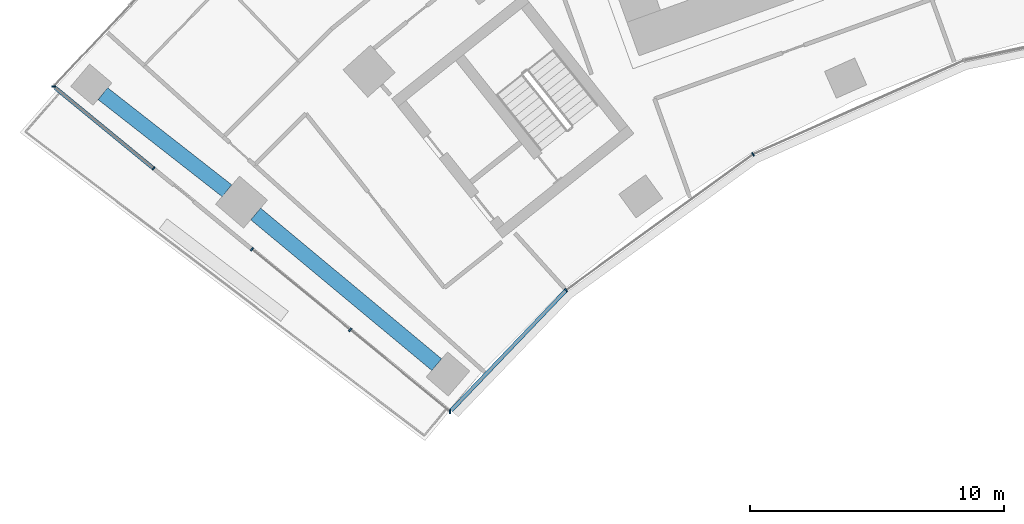
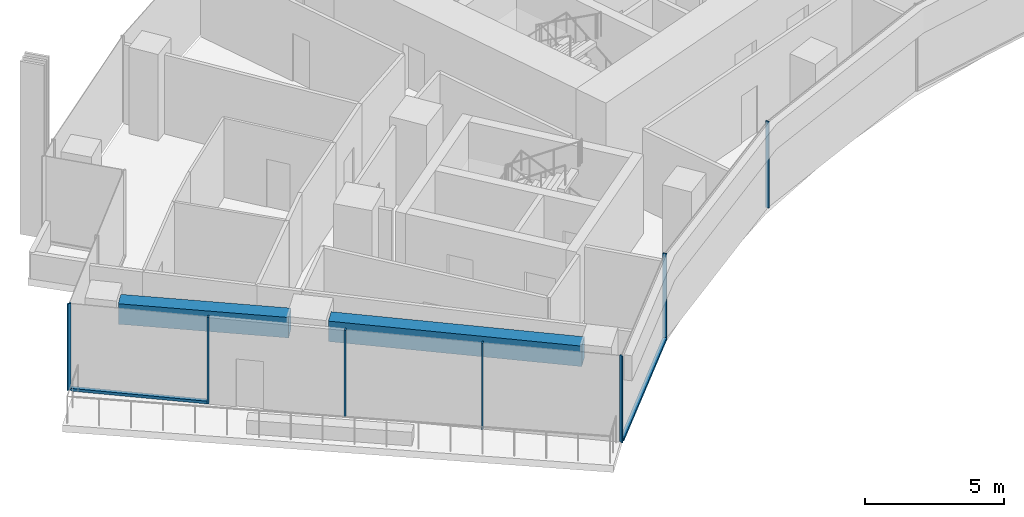
# One storey, part 2 of 20: 9 members, 2 beams, 2 elements without a shape of their own.
"""IFC4 building model written with IfcOpenShell, lengths in metres."""

import ifcopenshell
import ifcopenshell.guid

model = None  # the IFC model being written
_history = None  # IfcOwnerHistory: only IFC2X3 demands one
_inside = {}  # id of a spatial element -> (the spatial element, [elements in it])
_under = {}  # id of a project, library or spatial element -> (it, [spatial elements below it])
_declared = {}  # id of a project -> (the project, [libraries it declares])
_typed = {}  # id of a type object -> (the type object, [elements of that type])
_made_of = {}  # id of a material, layer set ... -> (it, [elements and type objects made of it])


def new_model(schema):
    """Start an empty IFC model of exactly this schema.

    Asked for "IFC4X3", IfcOpenShell would pick the latest addendum, in which some entities
    have other attributes; the version numbers below select the first issue.
    IFC2X3 requires an IfcOwnerHistory on every rooted entity: one is made here for all.
    """
    global model, _history
    if schema == "IFC4X3":
        model = ifcopenshell.file(schema_version=(4, 3, 0, 0))
    else:
        model = ifcopenshell.file(schema=schema)
    _inside.clear()
    _under.clear()
    _declared.clear()
    _typed.clear()
    _made_of.clear()
    _history = None
    if model.schema == "IFC2X3":
        org = make("IfcOrganization", Name="unknown")
        user = make(
            "IfcPersonAndOrganization",
            ThePerson=make("IfcPerson", FamilyName="unknown"),
            TheOrganization=org,
        )
        app = make(
            "IfcApplication",
            ApplicationDeveloper=org,
            Version="unknown",
            ApplicationFullName="unknown",
            ApplicationIdentifier="unknown",
        )
        _history = make(
            "IfcOwnerHistory",
            OwningUser=user,
            OwningApplication=app,
            ChangeAction="ADDED",
            CreationDate=0,
        )
    return model


def make(cls, **values):
    """One entity of the class cls with the attributes given. An attribute that is None is left unset."""
    return model.create_entity(
        cls, **{name: value for name, value in values.items() if value is not None}
    )


def rooted(cls, **values):
    """An entity with a GlobalId (a new one), such as an element, a storey or a relation."""
    return make(cls, GlobalId=ifcopenshell.guid.new(), OwnerHistory=_history, **values)


def si_unit(unit_type, name, prefix=None):
    """IfcSIUnit, for example si_unit("LENGTHUNIT", "METRE", prefix="MILLI")."""
    return make("IfcSIUnit", UnitType=unit_type, Prefix=prefix, Name=name)


def assignment(units):
    """IfcUnitAssignment: the units of a project."""
    return None if units is None else make("IfcUnitAssignment", Units=units)


def point(xyz):
    """IfcCartesianPoint."""
    return None if xyz is None else make("IfcCartesianPoint", Coordinates=xyz)


def direction(xyz):
    """IfcDirection."""
    return None if xyz is None else make("IfcDirection", DirectionRatios=xyz)


def frame(location, z_axis=None, x_axis=None):
    """IfcAxis2Placement3D, a coordinate frame: its origin and axes. An axis left out is left unset."""
    return make(
        "IfcAxis2Placement3D",
        Location=point(location),
        Axis=direction(z_axis),
        RefDirection=direction(x_axis),
    )


def frame_2d(location, x_axis=None):
    """IfcAxis2Placement2D, a coordinate frame in the plane: its origin and x axis."""
    return make(
        "IfcAxis2Placement2D", Location=point(location), RefDirection=direction(x_axis)
    )


def origin():
    """The frame at (0, 0, 0) with its axes left unset."""
    return frame((0.0, 0.0, 0.0))


def origin_2d():
    """The frame at (0, 0) in the plane with its x axis left unset."""
    return frame_2d((0.0, 0.0))


def place(relative_to, where):
    """IfcLocalPlacement: puts the frame where relative to a parent placement (None: the world)."""
    return make(
        "IfcLocalPlacement", PlacementRelTo=relative_to, RelativePlacement=where
    )


def context(
    kind, dimensions, precision=None, world=None, true_north=None, identifier=None
):
    """IfcGeometricRepresentationContext, for example the 3D "Model" context."""
    return make(
        "IfcGeometricRepresentationContext",
        ContextIdentifier=identifier,
        ContextType=kind,
        CoordinateSpaceDimension=dimensions,
        Precision=precision,
        WorldCoordinateSystem=world,
        TrueNorth=true_north,
    )


def subcontext(parent, identifier, kind, view, scale=None):
    """IfcGeometricRepresentationSubContext, for example "Body" below "Model"."""
    return make(
        "IfcGeometricRepresentationSubContext",
        ContextIdentifier=identifier,
        ContextType=kind,
        ParentContext=parent,
        TargetScale=scale,
        TargetView=view,
    )


def project(units=None, contexts=None):
    """IfcProject with its units and contexts."""
    return rooted(
        "IfcProject",
        Name="project",
        RepresentationContexts=contexts,
        UnitsInContext=assignment(units),
    )


def spatial(cls, under=None, at=None, **own):
    """A site, building, storey or space (cls), placed at a placement, below another one or the project."""
    s = rooted(cls, ObjectPlacement=at, **own)
    if under is not None:
        _under.setdefault(under.id(), (under, []))[1].append(s)
    return s


def profile(cls, at=None, kind="AREA", **sizes):
    """A parametric profile (cls). Its sizes go by their IFC names, for example OverallWidth=200.0."""
    return make(cls, ProfileType=kind, Position=at, **sizes)


def rectangle(**sizes):
    """IfcRectangleProfileDef."""
    return profile("IfcRectangleProfileDef", **sizes)


def extrude(swept, where, along, depth):
    """IfcExtrudedAreaSolid: the profile swept, set in the frame where, extruded along a direction by depth."""
    return make(
        "IfcExtrudedAreaSolid",
        SweptArea=swept,
        Position=where,
        ExtrudedDirection=direction(along),
        Depth=depth,
    )


def shape(context_of_items, identifier, shape_type, items):
    """IfcShapeRepresentation: the items that make up one representation, for example the "Body"."""
    return make(
        "IfcShapeRepresentation",
        ContextOfItems=context_of_items,
        RepresentationIdentifier=identifier,
        RepresentationType=shape_type,
        Items=items,
    )


def material(Name=None, Category=None):
    """IfcMaterial."""
    return make("IfcMaterial", Name=Name, Category=Category)


def layer(
    of_material, thickness, ventilated=None, Name=None, Category=None, Priority=None
):
    """IfcMaterialLayer: one layer of a wall or slab, of a material (None: an air gap)."""
    return make(
        "IfcMaterialLayer",
        Material=of_material,
        LayerThickness=thickness,
        IsVentilated=ventilated,
        Name=Name,
        Category=Category,
        Priority=Priority,
    )


def layer_set(layers, Name=None):
    """IfcMaterialLayerSet."""
    return make("IfcMaterialLayerSet", MaterialLayers=layers, LayerSetName=Name)


def material_profile(
    of_material, cross_section, Name=None, Category=None, Priority=None
):
    """IfcMaterialProfile: a cross section and its material."""
    return make(
        "IfcMaterialProfile",
        Name=Name,
        Material=of_material,
        Profile=cross_section,
        Priority=Priority,
        Category=Category,
    )


def profile_set(profiles, Name=None, composite=None):
    """IfcMaterialProfileSet."""
    return make(
        "IfcMaterialProfileSet",
        Name=Name,
        MaterialProfiles=profiles,
        CompositeProfile=composite,
    )


def made_of(thing, what):
    """Note that an element or type object is made of a material, layer set ...; save() writes the relation."""
    if what is not None:
        _made_of.setdefault(what.id(), (what, []))[1].append(thing)
    return thing


def type_object(cls, material=None, **own):
    """A type object (cls), such as IfcWallType, which elements share."""
    return made_of(rooted(cls, **own), material)


def element(
    cls,
    number,
    at=None,
    inside=None,
    cuts=None,
    type_object=None,
    material=None,
    context=None,
    identifier="Body",
    shape_type=None,
    held_by="IfcProductDefinitionShape",
    body=None,
    shapes=None,
    **own,
):
    """One element of the class cls, such as IfcWall. Its Tag is "e" and its number.

    at: its placement. inside: the storey or other place that contains it. cuts: it is an
    opening in that element (IfcRelVoidsElement). A single representation is given by context,
    identifier, shape_type and body (its items); several are given by shapes. held_by: the class
    of the entity that holds the representations. save() writes the other relations.
    """
    e = rooted(cls, Tag="e%d" % number, ObjectPlacement=at, **own)
    if body is not None:
        shapes = [shape(context, identifier, shape_type, body)]
    if shapes is not None:
        e.Representation = make(held_by, Representations=shapes)
    if inside is not None:
        _inside.setdefault(inside.id(), (inside, []))[1].append(e)
    if cuts is not None:
        rooted(
            "IfcRelVoidsElement", RelatingBuildingElement=cuts, RelatedOpeningElement=e
        )
    if type_object is not None:
        _typed.setdefault(type_object.id(), (type_object, []))[1].append(e)
    return made_of(e, material)


def aggregate(whole, parts):
    """IfcRelAggregates: a whole, such as a stair, and the parts it consists of."""
    return rooted("IfcRelAggregates", RelatingObject=whole, RelatedObjects=parts)


def save(model, path):
    """Write the relations noted so far, then the file.

    IfcRelAggregates (storeys below a building ...), IfcRelContainedInSpatialStructure (elements
    in a storey), IfcRelDefinesByType, IfcRelAssociatesMaterial and IfcRelDeclares: one each for
    every whole, place, type object, material and project.
    """
    for whole, parts in _under.values():
        aggregate(whole, parts)
    for where, things in _inside.values():
        rooted(
            "IfcRelContainedInSpatialStructure",
            RelatedElements=things,
            RelatingStructure=where,
        )
    for kind, things in _typed.values():
        rooted("IfcRelDefinesByType", RelatedObjects=things, RelatingType=kind)
    for what, things in _made_of.values():
        rooted("IfcRelAssociatesMaterial", RelatedObjects=things, RelatingMaterial=what)
    for by, libraries in _declared.values():
        rooted("IfcRelDeclares", RelatingContext=by, RelatedDefinitions=libraries)
    model.write(path)


model = new_model("IFC4")

# Units and contexts
model_context = context("Model", 3, precision=1e-05, world=origin(), true_north=direction((0.0, 1.0)))
body_context = subcontext(model_context, "Body", "Model", "MODEL_VIEW")
ifc_project = project(units=[si_unit("LENGTHUNIT", "METRE"), si_unit("AREAUNIT", "SQUARE_METRE"), si_unit("VOLUMEUNIT", "CUBIC_METRE"), si_unit("PLANEANGLEUNIT", "RADIAN"), si_unit("MASSUNIT", "GRAM", prefix="KILO")], contexts=[model_context])

# Site, building, storey
site_placement = place(None, origin())
site = spatial("IfcSite", under=ifc_project, at=site_placement, CompositionType="ELEMENT")
building_placement = place(site_placement, origin())
building = spatial("IfcBuilding", under=site, at=building_placement, Name="Stone Belt Terrace Tower", CompositionType="ELEMENT")
storey_placement = place(building_placement, frame((0.0, 0.0, 102.199951171875)))
storey = spatial("IfcBuildingStorey", under=building, at=storey_placement, Name="L24", CompositionType="ELEMENT", Elevation=102.199951171875)

# Curtain wall, members
ifc_material_1 = material(Name="Aluminium 6063-T6 anodised frame", Category="aluminium")
ifc_layer_1 = layer(ifc_material_1, 0.14990234375)
ifc_layer_set_1 = layer_set([ifc_layer_1], Name="CW-B unitised concave-face curtain wall")
curtain_wall_type_1 = type_object("IfcCurtainWallType", Name="CW-B unitised concave-face curtain wall", PredefinedType="NOTDEFINED", material=ifc_layer_set_1)
curtain_wall_1_placement = place(storey_placement, origin())
curtain_wall_1 = element("IfcCurtainWall", 1, at=curtain_wall_1_placement, inside=storey, type_object=curtain_wall_type_1, Name="CW-B concave face L24", PredefinedType="NOTDEFINED")
ifc_material_profile_1 = material_profile(ifc_material_1, rectangle(XDim=0.14990234375, YDim=0.050048828125, at=origin_2d()), Name="Aluminium 6063-T6 50x150")
ifc_profile_set_1 = profile_set([ifc_material_profile_1], Name="Aluminium 6063-T6 anodised frame")
member_type_1 = type_object("IfcMemberType", Name="CW-B mullion 50 x 150", PredefinedType="MULLION", material=ifc_profile_set_1)
member_1_placement = place(storey_placement, frame((-33.62158203125, 27.491943359375, 0.0), z_axis=(0.0, 0.0, 1.0), x_axis=(-0.060551617529, 0.998165067318, 0.0)))
member_1 = element("IfcMember", 2, at=member_1_placement, type_object=member_type_1, Name="CW-B mullion 1", PredefinedType="MULLION", context=body_context, shape_type="SweptSolid", body=[
    extrude(rectangle(XDim=0.14990234375, YDim=0.050048828125, at=origin_2d()), origin(), (0.0, 0.0, 1.0), 3.800048828125),
])
member_2_placement = place(storey_placement, frame((-29.0576171875, 32.27001953125, 0.0), z_axis=(0.0, 0.0, 1.0), x_axis=(-0.658126677279, 0.752907216497, 0.0)))
member_2 = element("IfcMember", 3, at=member_2_placement, type_object=member_type_1, Name="CW-B mullion 2", PredefinedType="MULLION", context=body_context, shape_type="SweptSolid", body=[
    extrude(rectangle(XDim=0.14990234375, YDim=0.050048828125, at=origin_2d()), origin(), (0.0, 0.0, 1.0), 3.800048828125),
])
member_3_placement = place(storey_placement, frame((-21.71240234375, 37.606689453125, 0.0), z_axis=(0.0, 0.0, 1.0), x_axis=(-0.5, 0.866025403784, 0.0)))
member_3 = element("IfcMember", 4, at=member_3_placement, type_object=member_type_1, Name="CW-B mullion 3", PredefinedType="MULLION", context=body_context, shape_type="SweptSolid", body=[
    extrude(rectangle(XDim=0.14990234375, YDim=0.050048828125, at=origin_2d()), origin(), (0.0, 0.0, 1.0), 3.800048828125),
])
ifc_material_profile_2 = material_profile(ifc_material_1, rectangle(XDim=0.14990234375, YDim=0.1201171875, at=origin_2d()), Name="Aluminium 6063-T6 150x120")
ifc_profile_set_2 = profile_set([ifc_material_profile_2], Name="Aluminium 6063-T6 anodised frame")
member_type_2 = type_object("IfcMemberType", Name="CW-B transom 120 x 150", PredefinedType="USERDEFINED", material=ifc_profile_set_2)
member_4_placement = place(storey_placement, frame((-33.57373046875, 27.5419921875, 0.06005859375), z_axis=(0.690692568637, 0.72314851561, 0.0), x_axis=(-0.72314851561, 0.690692568637, 0.0)))
member_4 = element("IfcMember", 5, at=member_4_placement, type_object=member_type_2, Name="CW-B transom 1.1", ObjectType="TRANSOM", PredefinedType="USERDEFINED", context=body_context, shape_type="SweptSolid", body=[
    extrude(rectangle(XDim=0.14990234375, YDim=0.1201171875, at=origin_2d()), origin(), (0.0, 0.0, 1.0), 6.5068359375),
])
aggregate(curtain_wall_1, [member_1, member_2, member_3, member_4])

ifc_layer_2 = layer(ifc_material_1, 0.14990234375)
ifc_layer_set_2 = layer_set([ifc_layer_2], Name="CW-C stick curtain wall, horn ends and notches")
curtain_wall_type_2 = type_object("IfcCurtainWallType", Name="CW-C stick curtain wall, horn ends and notches", PredefinedType="NOTDEFINED", material=ifc_layer_set_2)
curtain_wall_2_placement = place(storey_placement, origin())
curtain_wall_2 = element("IfcCurtainWall", 6, at=curtain_wall_2_placement, inside=storey, type_object=curtain_wall_type_2, Name="CW-C end face L24", PredefinedType="NOTDEFINED")
ifc_material_profile_3 = material_profile(ifc_material_1, rectangle(XDim=0.14990234375, YDim=0.06005859375, at=origin_2d()), Name="Aluminium 6063-T6 60x150")
ifc_profile_set_3 = profile_set([ifc_material_profile_3], Name="Aluminium 6063-T6 anodised frame")
member_type_3 = type_object("IfcMemberType", Name="CW-C mullion 60 x 150", PredefinedType="MULLION", material=ifc_profile_set_3)
member_5_placement = place(storey_placement, frame((-49.1982421875, 40.273681640625, 0.0), z_axis=(0.0, 0.0, 1.0), x_axis=(0.997926804019, 0.064359100521, 0.0)))
member_5 = element("IfcMember", 7, at=member_5_placement, type_object=member_type_3, Name="CW-C mullion 1", PredefinedType="MULLION", context=body_context, shape_type="SweptSolid", body=[
    extrude(rectangle(XDim=0.14990234375, YDim=0.06005859375, at=origin_2d()), origin(), (0.0, 0.0, 1.0), 3.800048828125),
])
member_6_placement = place(storey_placement, frame((-45.27099609375, 37.05126953125, 0.0), z_axis=(0.0, 0.0, 1.0), x_axis=(0.634344250973, 0.77305069126, 0.0)))
member_6 = element("IfcMember", 8, at=member_6_placement, type_object=member_type_3, Name="CW-C mullion 2", PredefinedType="MULLION", context=body_context, shape_type="SweptSolid", body=[
    extrude(rectangle(XDim=0.14990234375, YDim=0.06005859375, at=origin_2d()), origin(), (0.0, 0.0, 1.0), 3.800048828125),
])
member_7_placement = place(storey_placement, frame((-41.40576171875, 33.87939453125, 0.0), z_axis=(0.0, 0.0, 1.0), x_axis=(0.634344250973, 0.77305069126, 0.0)))
member_7 = element("IfcMember", 9, at=member_7_placement, type_object=member_type_3, Name="CW-C mullion 3", PredefinedType="MULLION", context=body_context, shape_type="SweptSolid", body=[
    extrude(rectangle(XDim=0.14990234375, YDim=0.06005859375, at=origin_2d()), origin(), (0.0, 0.0, 1.0), 3.800048828125),
])
member_8_placement = place(storey_placement, frame((-37.54052734375, 30.707763671875, 0.0), z_axis=(0.0, 0.0, 1.0), x_axis=(0.634344250973, 0.77305069126, 0.0)))
member_8 = element("IfcMember", 10, at=member_8_placement, type_object=member_type_3, Name="CW-C mullion 4", PredefinedType="MULLION", context=body_context, shape_type="SweptSolid", body=[
    extrude(rectangle(XDim=0.14990234375, YDim=0.06005859375, at=origin_2d()), origin(), (0.0, 0.0, 1.0), 3.800048828125),
])
ifc_material_profile_4 = material_profile(ifc_material_1, rectangle(XDim=0.14990234375, YDim=0.1201171875, at=origin_2d()), Name="Aluminium 6063-T6 150x120")
ifc_profile_set_4 = profile_set([ifc_material_profile_4], Name="Aluminium 6063-T6 anodised frame")
member_type_4 = type_object("IfcMemberType", Name="CW-C transom 120 x 150", PredefinedType="USERDEFINED", material=ifc_profile_set_4)
member_9_placement = place(storey_placement, frame((-49.14013671875, 40.22607421875, 0.06005859375), z_axis=(0.773038199103, -0.634359474374, 0.0), x_axis=(0.634359474374, 0.773038199103, 0.0)))
member_9 = element("IfcMember", 11, at=member_9_placement, type_object=member_type_4, Name="CW-C transom 1.1", ObjectType="TRANSOM", PredefinedType="USERDEFINED", context=body_context, shape_type="SweptSolid", body=[
    extrude(rectangle(XDim=0.14990234375, YDim=0.1201171875, at=origin_2d()), origin(), (0.0, 0.0, 1.0), 4.97509765625),
])
aggregate(curtain_wall_2, [member_5, member_6, member_7, member_8, member_9])

# Beams
ifc_material_2 = material(Name="Concrete B60", Category="concrete")
ifc_material_profile_5 = material_profile(ifc_material_2, rectangle(XDim=0.60009765625, YDim=0.89990234375, at=origin_2d()), Name="RC 600x900")
ifc_profile_set_5 = profile_set([ifc_material_profile_5], Name="Concrete B60")
beam_type = type_object("IfcBeamType", Name="Edge beam RC 600x900 B60", PredefinedType="SPANDREL", material=ifc_profile_set_5)
beam_1_placement = place(storey_placement, frame((-34.144287109375, 29.34228515625, 3.030029296875), z_axis=(-0.768519558675, 0.639826295126, 0.0), x_axis=(-0.639826295126, -0.768519558675, 0.0)))
element("IfcBeam", 12, at=beam_1_placement, inside=storey, type_object=beam_type, Name="Edge beam L24 A P to Q", PredefinedType="SPANDREL", context=body_context, shape_type="SweptSolid", body=[
    extrude(rectangle(XDim=0.60009765625, YDim=0.89990234375, at=origin_2d()), origin(), (0.0, 0.0, 1.0), 9.255859375),
])
beam_2_placement = place(storey_placement, frame((-42.386474609375, 36.175537109375, 3.030029296875), z_axis=(-0.787640563378, 0.616135003811, 0.0), x_axis=(-0.616135003811, -0.787640563378, 0.0)))
element("IfcBeam", 13, at=beam_2_placement, inside=storey, type_object=beam_type, Name="Edge beam L24 A Q to R", PredefinedType="SPANDREL", context=body_context, shape_type="SweptSolid", body=[
    extrude(rectangle(XDim=0.60009765625, YDim=0.89990234375, at=origin_2d()), origin(), (0.0, 0.0, 1.0), 6.193603515625),
])

save(model, "model.ifc")
